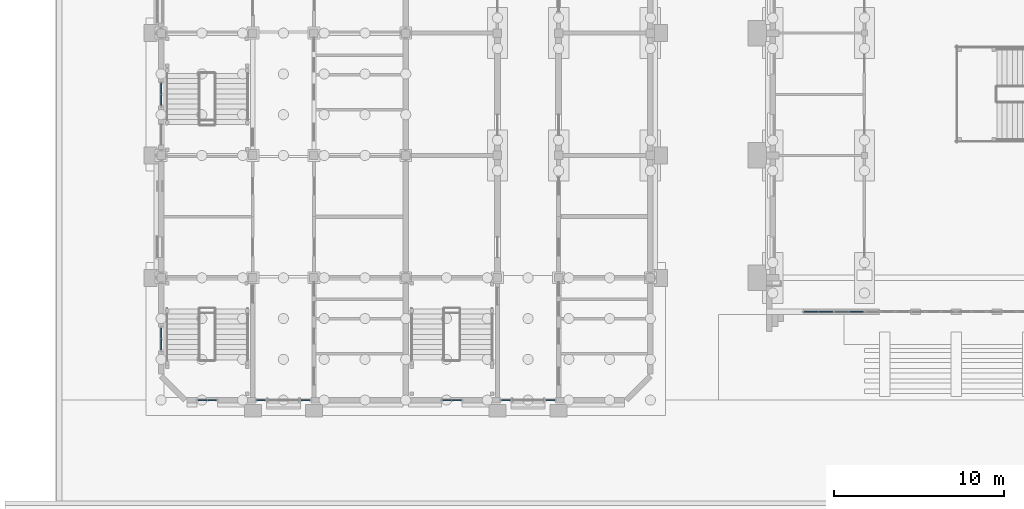
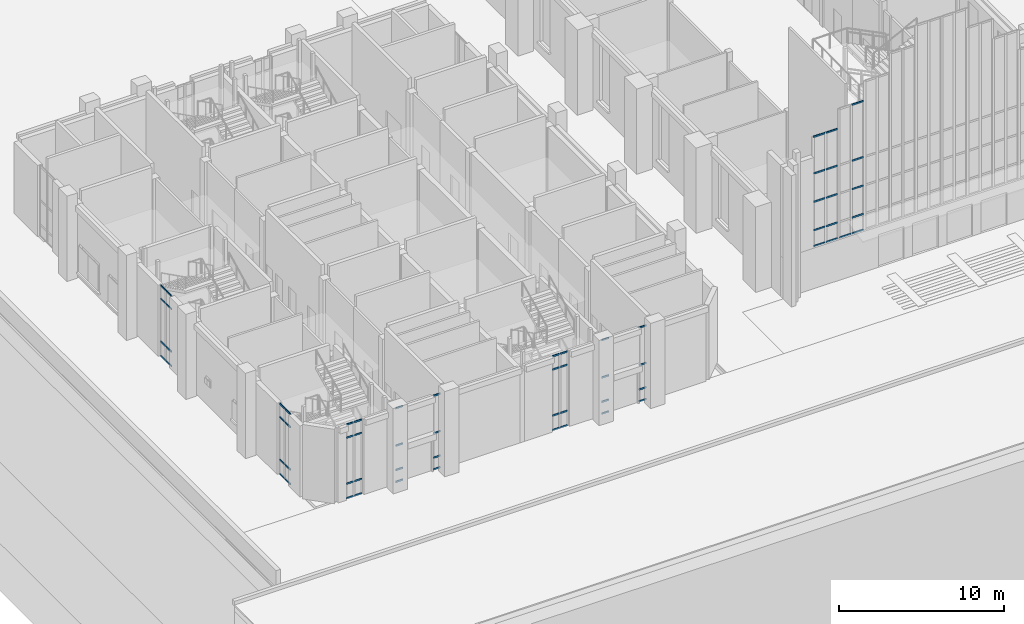
# One storey, part 16 of 84: 64 members, 10 elements without a shape of their own.
"""IFC4 building model written with IfcOpenShell, lengths in metres."""

from ifc_helpers import new_model, si_unit, direction, frame, origin, origin_2d, place, context, subcontext, project, spatial, rectangle, extrude, material, layer, layer_set, material_profile, profile_set, type_object, element, aggregate, save


model = new_model("IFC4")

# Units and contexts
model_context = context("Model", 3, precision=1e-05, world=origin(), true_north=direction((0.0, 1.0)))
body_context = subcontext(model_context, "Body", "Model", "MODEL_VIEW")
ifc_project = project(units=[si_unit("LENGTHUNIT", "METRE"), si_unit("AREAUNIT", "SQUARE_METRE"), si_unit("VOLUMEUNIT", "CUBIC_METRE"), si_unit("PLANEANGLEUNIT", "RADIAN"), si_unit("MASSUNIT", "GRAM", prefix="KILO")], contexts=[model_context])

# Site, building, storey
site_placement = place(None, origin())
site = spatial("IfcSite", under=ifc_project, at=site_placement, CompositionType="ELEMENT")
building_placement = place(site_placement, origin())
building = spatial("IfcBuilding", under=site, at=building_placement, Name="Mazhai Court Health Centre", CompositionType="ELEMENT")
storey_placement = place(building_placement, origin())
storey = spatial("IfcBuildingStorey", under=building, at=storey_placement, Name="L00", CompositionType="ELEMENT", Elevation=0.0)

# Curtain wall, members
ifc_material_1 = material(Name="Teak timber frame, glazed", Category="wood")
ifc_layer_1 = layer(ifc_material_1, 0.10009765625)
ifc_layer_set_1 = layer_set([ifc_layer_1], Name="CURTAIN WALL TIMBER 600")
curtain_wall_type_1 = type_object("IfcCurtainWallType", Name="CURTAIN WALL TIMBER 600", PredefinedType="NOTDEFINED", material=ifc_layer_set_1)
curtain_wall_1_placement = place(storey_placement, origin())
curtain_wall_1 = element("IfcCurtainWall", 1, at=curtain_wall_1_placement, inside=storey, type_object=curtain_wall_type_1, Name="CW-V2-L00-A0", PredefinedType="NOTDEFINED")
ifc_material_2 = material(Name="Teak timber", Category="wood")
ifc_material_profile = material_profile(ifc_material_2, rectangle(XDim=0.06005859375, YDim=0.1201171875, at=origin_2d()), Name="CW TRANSOM 60x120")
ifc_profile_set = profile_set([ifc_material_profile], Name="Teak timber")
member_type = type_object("IfcMemberType", Name="CW TRANSOM 60x120", PredefinedType="USERDEFINED", material=ifc_profile_set)
member_1_placement = place(storey_placement, frame((6.199951171875, 9.159912109375, 0.030029296875), z_axis=(0.0, 1.0, 0.0), x_axis=(-1.0, 0.0, 0.0)))
member_1 = element("IfcMember", 2, at=member_1_placement, type_object=member_type, Name="CW transom 1.1", ObjectType="TRANSOM", PredefinedType="USERDEFINED", context=body_context, shape_type="SweptSolid", body=[
    extrude(rectangle(XDim=0.06005859375, YDim=0.1201171875, at=origin_2d()), origin(), (0.0, 0.0, 1.0), 0.610107421875),
])
member_2_placement = place(storey_placement, frame((6.199951171875, 9.159912109375, 1.10009765625), z_axis=(0.0, 1.0, 0.0), x_axis=(-1.0, 0.0, 0.0)))
member_2 = element("IfcMember", 3, at=member_2_placement, type_object=member_type, Name="CW transom 1.2", ObjectType="TRANSOM", PredefinedType="USERDEFINED", context=body_context, shape_type="SweptSolid", body=[
    extrude(rectangle(XDim=0.06005859375, YDim=0.1201171875, at=origin_2d()), origin(), (0.0, 0.0, 1.0), 0.610107421875),
])
member_3_placement = place(storey_placement, frame((6.199951171875, 9.159912109375, 4.25), z_axis=(0.0, 1.0, 0.0), x_axis=(-1.0, 0.0, 0.0)))
member_3 = element("IfcMember", 4, at=member_3_placement, type_object=member_type, Name="CW transom 1.3", ObjectType="TRANSOM", PredefinedType="USERDEFINED", context=body_context, shape_type="SweptSolid", body=[
    extrude(rectangle(XDim=0.06005859375, YDim=0.1201171875, at=origin_2d()), origin(), (0.0, 0.0, 1.0), 0.610107421875),
])
member_4_placement = place(storey_placement, frame((6.199951171875, 9.159912109375, 5.219970703125), z_axis=(0.0, 1.0, 0.0), x_axis=(-1.0, 0.0, 0.0)))
member_4 = element("IfcMember", 5, at=member_4_placement, type_object=member_type, Name="CW transom 1.4", ObjectType="TRANSOM", PredefinedType="USERDEFINED", context=body_context, shape_type="SweptSolid", body=[
    extrude(rectangle(XDim=0.06005859375, YDim=0.1201171875, at=origin_2d()), origin(), (0.0, 0.0, 1.0), 0.610107421875),
])
member_5_placement = place(storey_placement, frame((6.199951171875, 9.830078125, 0.030029296875), z_axis=(0.0, 1.0, 0.0), x_axis=(-1.0, 0.0, 0.0)))
member_5 = element("IfcMember", 6, at=member_5_placement, type_object=member_type, Name="CW transom 2.1", ObjectType="TRANSOM", PredefinedType="USERDEFINED", context=body_context, shape_type="SweptSolid", body=[
    extrude(rectangle(XDim=0.06005859375, YDim=0.1201171875, at=origin_2d()), origin(), (0.0, 0.0, 1.0), 0.60986328125),
])
member_6_placement = place(storey_placement, frame((6.199951171875, 9.830078125, 1.10009765625), z_axis=(0.0, 1.0, 0.0), x_axis=(-1.0, 0.0, 0.0)))
member_6 = element("IfcMember", 7, at=member_6_placement, type_object=member_type, Name="CW transom 2.2", ObjectType="TRANSOM", PredefinedType="USERDEFINED", context=body_context, shape_type="SweptSolid", body=[
    extrude(rectangle(XDim=0.06005859375, YDim=0.1201171875, at=origin_2d()), origin(), (0.0, 0.0, 1.0), 0.60986328125),
])
member_7_placement = place(storey_placement, frame((6.199951171875, 9.830078125, 4.25), z_axis=(0.0, 1.0, 0.0), x_axis=(-1.0, 0.0, 0.0)))
member_7 = element("IfcMember", 8, at=member_7_placement, type_object=member_type, Name="CW transom 2.3", ObjectType="TRANSOM", PredefinedType="USERDEFINED", context=body_context, shape_type="SweptSolid", body=[
    extrude(rectangle(XDim=0.06005859375, YDim=0.1201171875, at=origin_2d()), origin(), (0.0, 0.0, 1.0), 0.60986328125),
])
member_8_placement = place(storey_placement, frame((6.199951171875, 9.830078125, 5.219970703125), z_axis=(0.0, 1.0, 0.0), x_axis=(-1.0, 0.0, 0.0)))
member_8 = element("IfcMember", 9, at=member_8_placement, type_object=member_type, Name="CW transom 2.4", ObjectType="TRANSOM", PredefinedType="USERDEFINED", context=body_context, shape_type="SweptSolid", body=[
    extrude(rectangle(XDim=0.06005859375, YDim=0.1201171875, at=origin_2d()), origin(), (0.0, 0.0, 1.0), 0.60986328125),
])
aggregate(curtain_wall_1, [member_1, member_2, member_3, member_4, member_5, member_6, member_7, member_8])

curtain_wall_2_placement = place(storey_placement, origin())
curtain_wall_2 = element("IfcCurtainWall", 10, at=curtain_wall_2_placement, inside=storey, type_object=curtain_wall_type_1, Name="CW-V2-L00-A2", PredefinedType="NOTDEFINED")
member_9_placement = place(storey_placement, frame((6.199951171875, 23.56005859375, 0.030029296875), z_axis=(0.0, 1.0, 0.0), x_axis=(-1.0, 0.0, 0.0)))
member_9 = element("IfcMember", 11, at=member_9_placement, type_object=member_type, Name="CW transom 1.1", ObjectType="TRANSOM", PredefinedType="USERDEFINED", context=body_context, shape_type="SweptSolid", body=[
    extrude(rectangle(XDim=0.06005859375, YDim=0.1201171875, at=origin_2d()), origin(), (0.0, 0.0, 1.0), 0.60986328125),
])
member_10_placement = place(storey_placement, frame((6.199951171875, 23.56005859375, 1.10009765625), z_axis=(0.0, 1.0, 0.0), x_axis=(-1.0, 0.0, 0.0)))
member_10 = element("IfcMember", 12, at=member_10_placement, type_object=member_type, Name="CW transom 1.2", ObjectType="TRANSOM", PredefinedType="USERDEFINED", context=body_context, shape_type="SweptSolid", body=[
    extrude(rectangle(XDim=0.06005859375, YDim=0.1201171875, at=origin_2d()), origin(), (0.0, 0.0, 1.0), 0.60986328125),
])
member_11_placement = place(storey_placement, frame((6.199951171875, 23.56005859375, 4.25), z_axis=(0.0, 1.0, 0.0), x_axis=(-1.0, 0.0, 0.0)))
member_11 = element("IfcMember", 13, at=member_11_placement, type_object=member_type, Name="CW transom 1.3", ObjectType="TRANSOM", PredefinedType="USERDEFINED", context=body_context, shape_type="SweptSolid", body=[
    extrude(rectangle(XDim=0.06005859375, YDim=0.1201171875, at=origin_2d()), origin(), (0.0, 0.0, 1.0), 0.60986328125),
])
member_12_placement = place(storey_placement, frame((6.199951171875, 23.56005859375, 5.219970703125), z_axis=(0.0, 1.0, 0.0), x_axis=(-1.0, 0.0, 0.0)))
member_12 = element("IfcMember", 14, at=member_12_placement, type_object=member_type, Name="CW transom 1.4", ObjectType="TRANSOM", PredefinedType="USERDEFINED", context=body_context, shape_type="SweptSolid", body=[
    extrude(rectangle(XDim=0.06005859375, YDim=0.1201171875, at=origin_2d()), origin(), (0.0, 0.0, 1.0), 0.60986328125),
])
member_13_placement = place(storey_placement, frame((6.199951171875, 24.22998046875, 0.030029296875), z_axis=(0.0, 1.0, 0.0), x_axis=(-1.0, 0.0, 0.0)))
member_13 = element("IfcMember", 15, at=member_13_placement, type_object=member_type, Name="CW transom 2.1", ObjectType="TRANSOM", PredefinedType="USERDEFINED", context=body_context, shape_type="SweptSolid", body=[
    extrude(rectangle(XDim=0.06005859375, YDim=0.1201171875, at=origin_2d()), origin(), (0.0, 0.0, 1.0), 0.610107421875),
])
member_14_placement = place(storey_placement, frame((6.199951171875, 24.22998046875, 1.10009765625), z_axis=(0.0, 1.0, 0.0), x_axis=(-1.0, 0.0, 0.0)))
member_14 = element("IfcMember", 16, at=member_14_placement, type_object=member_type, Name="CW transom 2.2", ObjectType="TRANSOM", PredefinedType="USERDEFINED", context=body_context, shape_type="SweptSolid", body=[
    extrude(rectangle(XDim=0.06005859375, YDim=0.1201171875, at=origin_2d()), origin(), (0.0, 0.0, 1.0), 0.610107421875),
])
member_15_placement = place(storey_placement, frame((6.199951171875, 24.22998046875, 4.25), z_axis=(0.0, 1.0, 0.0), x_axis=(-1.0, 0.0, 0.0)))
member_15 = element("IfcMember", 17, at=member_15_placement, type_object=member_type, Name="CW transom 2.3", ObjectType="TRANSOM", PredefinedType="USERDEFINED", context=body_context, shape_type="SweptSolid", body=[
    extrude(rectangle(XDim=0.06005859375, YDim=0.1201171875, at=origin_2d()), origin(), (0.0, 0.0, 1.0), 0.610107421875),
])
member_16_placement = place(storey_placement, frame((6.199951171875, 24.22998046875, 5.219970703125), z_axis=(0.0, 1.0, 0.0), x_axis=(-1.0, 0.0, 0.0)))
member_16 = element("IfcMember", 18, at=member_16_placement, type_object=member_type, Name="CW transom 2.4", ObjectType="TRANSOM", PredefinedType="USERDEFINED", context=body_context, shape_type="SweptSolid", body=[
    extrude(rectangle(XDim=0.06005859375, YDim=0.1201171875, at=origin_2d()), origin(), (0.0, 0.0, 1.0), 0.610107421875),
])
aggregate(curtain_wall_2, [member_9, member_10, member_11, member_12, member_13, member_14, member_15, member_16])

curtain_wall_3_placement = place(storey_placement, origin())
curtain_wall_3 = element("IfcCurtainWall", 19, at=curtain_wall_3_placement, inside=storey, type_object=curtain_wall_type_1, Name="CW-V2-L00-SSTAIR0", PredefinedType="NOTDEFINED")
member_17_placement = place(storey_placement, frame((9.4599609375, 6.199951171875, 0.030029296875), z_axis=(-1.0, 0.0, 0.0), x_axis=(0.0, -1.0, 0.0)))
member_17 = element("IfcMember", 20, at=member_17_placement, type_object=member_type, Name="CW transom 1.1", ObjectType="TRANSOM", PredefinedType="USERDEFINED", context=body_context, shape_type="SweptSolid", body=[
    extrude(rectangle(XDim=0.06005859375, YDim=0.1201171875, at=origin_2d()), origin(), (0.0, 0.0, 1.0), 0.510009765625),
])
member_18_placement = place(storey_placement, frame((9.4599609375, 6.199951171875, 1.10009765625), z_axis=(-1.0, 0.0, 0.0), x_axis=(0.0, -1.0, 0.0)))
member_18 = element("IfcMember", 21, at=member_18_placement, type_object=member_type, Name="CW transom 1.2", ObjectType="TRANSOM", PredefinedType="USERDEFINED", context=body_context, shape_type="SweptSolid", body=[
    extrude(rectangle(XDim=0.06005859375, YDim=0.1201171875, at=origin_2d()), origin(), (0.0, 0.0, 1.0), 0.510009765625),
])
member_19_placement = place(storey_placement, frame((9.4599609375, 6.199951171875, 4.5), z_axis=(-1.0, 0.0, 0.0), x_axis=(0.0, -1.0, 0.0)))
member_19 = element("IfcMember", 22, at=member_19_placement, type_object=member_type, Name="CW transom 1.3", ObjectType="TRANSOM", PredefinedType="USERDEFINED", context=body_context, shape_type="SweptSolid", body=[
    extrude(rectangle(XDim=0.06005859375, YDim=0.1201171875, at=origin_2d()), origin(), (0.0, 0.0, 1.0), 0.510009765625),
])
member_20_placement = place(storey_placement, frame((9.4599609375, 6.199951171875, 5.469970703125), z_axis=(-1.0, 0.0, 0.0), x_axis=(0.0, -1.0, 0.0)))
member_20 = element("IfcMember", 23, at=member_20_placement, type_object=member_type, Name="CW transom 1.4", ObjectType="TRANSOM", PredefinedType="USERDEFINED", context=body_context, shape_type="SweptSolid", body=[
    extrude(rectangle(XDim=0.06005859375, YDim=0.1201171875, at=origin_2d()), origin(), (0.0, 0.0, 1.0), 0.510009765625),
])
member_21_placement = place(storey_placement, frame((8.889892578125, 6.199951171875, 0.030029296875), z_axis=(-1.0, 0.0, 0.0), x_axis=(0.0, -1.0, 0.0)))
member_21 = element("IfcMember", 24, at=member_21_placement, type_object=member_type, Name="CW transom 2.1", ObjectType="TRANSOM", PredefinedType="USERDEFINED", context=body_context, shape_type="SweptSolid", body=[
    extrude(rectangle(XDim=0.06005859375, YDim=0.1201171875, at=origin_2d()), origin(), (0.0, 0.0, 1.0), 0.510009765625),
])
member_22_placement = place(storey_placement, frame((8.889892578125, 6.199951171875, 1.10009765625), z_axis=(-1.0, 0.0, 0.0), x_axis=(0.0, -1.0, 0.0)))
member_22 = element("IfcMember", 25, at=member_22_placement, type_object=member_type, Name="CW transom 2.2", ObjectType="TRANSOM", PredefinedType="USERDEFINED", context=body_context, shape_type="SweptSolid", body=[
    extrude(rectangle(XDim=0.06005859375, YDim=0.1201171875, at=origin_2d()), origin(), (0.0, 0.0, 1.0), 0.510009765625),
])
member_23_placement = place(storey_placement, frame((8.889892578125, 6.199951171875, 4.5), z_axis=(-1.0, 0.0, 0.0), x_axis=(0.0, -1.0, 0.0)))
member_23 = element("IfcMember", 26, at=member_23_placement, type_object=member_type, Name="CW transom 2.3", ObjectType="TRANSOM", PredefinedType="USERDEFINED", context=body_context, shape_type="SweptSolid", body=[
    extrude(rectangle(XDim=0.06005859375, YDim=0.1201171875, at=origin_2d()), origin(), (0.0, 0.0, 1.0), 0.510009765625),
])
member_24_placement = place(storey_placement, frame((8.889892578125, 6.199951171875, 5.469970703125), z_axis=(-1.0, 0.0, 0.0), x_axis=(0.0, -1.0, 0.0)))
member_24 = element("IfcMember", 27, at=member_24_placement, type_object=member_type, Name="CW transom 2.4", ObjectType="TRANSOM", PredefinedType="USERDEFINED", context=body_context, shape_type="SweptSolid", body=[
    extrude(rectangle(XDim=0.06005859375, YDim=0.1201171875, at=origin_2d()), origin(), (0.0, 0.0, 1.0), 0.510009765625),
])
aggregate(curtain_wall_3, [member_17, member_18, member_19, member_20, member_21, member_22, member_23, member_24])

ifc_material_3 = material(Name="Teak timber frame, glazed", Category="wood")
ifc_layer_2 = layer(ifc_material_3, 0.10009765625)
ifc_layer_set_2 = layer_set([ifc_layer_2], Name="CURTAIN WALL TIMBER 620")
curtain_wall_type_2 = type_object("IfcCurtainWallType", Name="CURTAIN WALL TIMBER 620", PredefinedType="NOTDEFINED", material=ifc_layer_set_2)
curtain_wall_4_placement = place(storey_placement, origin())
curtain_wall_4 = element("IfcCurtainWall", 28, at=curtain_wall_4_placement, inside=storey, type_object=curtain_wall_type_2, Name="CW-V2-L00-SSL1", PredefinedType="NOTDEFINED")
member_25_placement = place(storey_placement, frame((12.340087890625, 6.199951171875, 0.030029296875), z_axis=(-1.0, 0.0, 0.0), x_axis=(0.0, -1.0, 0.0)))
member_25 = element("IfcMember", 29, at=member_25_placement, type_object=member_type, Name="CW transom 1.1", ObjectType="TRANSOM", PredefinedType="USERDEFINED", context=body_context, shape_type="SweptSolid", body=[
    extrude(rectangle(XDim=0.06005859375, YDim=0.1201171875, at=origin_2d()), origin(), (0.0, 0.0, 1.0), 0.5),
])
member_26_placement = place(storey_placement, frame((12.340087890625, 6.199951171875, 0.89990234375), z_axis=(-1.0, 0.0, 0.0), x_axis=(0.0, -1.0, 0.0)))
member_26 = element("IfcMember", 30, at=member_26_placement, type_object=member_type, Name="CW transom 1.2", ObjectType="TRANSOM", PredefinedType="USERDEFINED", context=body_context, shape_type="SweptSolid", body=[
    extrude(rectangle(XDim=0.06005859375, YDim=0.1201171875, at=origin_2d()), origin(), (0.0, 0.0, 1.0), 0.5),
])
member_27_placement = place(storey_placement, frame((12.340087890625, 6.199951171875, 2.699951171875), z_axis=(-1.0, 0.0, 0.0), x_axis=(0.0, -1.0, 0.0)))
member_27 = element("IfcMember", 31, at=member_27_placement, type_object=member_type, Name="CW transom 1.3", ObjectType="TRANSOM", PredefinedType="USERDEFINED", context=body_context, shape_type="SweptSolid", body=[
    extrude(rectangle(XDim=0.06005859375, YDim=0.1201171875, at=origin_2d()), origin(), (0.0, 0.0, 1.0), 0.5),
])
member_28_placement = place(storey_placement, frame((12.340087890625, 6.199951171875, 5.469970703125), z_axis=(-1.0, 0.0, 0.0), x_axis=(0.0, -1.0, 0.0)))
member_28 = element("IfcMember", 32, at=member_28_placement, type_object=member_type, Name="CW transom 1.4", ObjectType="TRANSOM", PredefinedType="USERDEFINED", context=body_context, shape_type="SweptSolid", body=[
    extrude(rectangle(XDim=0.06005859375, YDim=0.1201171875, at=origin_2d()), origin(), (0.0, 0.0, 1.0), 0.5),
])
aggregate(curtain_wall_4, [member_25, member_26, member_27, member_28])

curtain_wall_5_placement = place(storey_placement, origin())
curtain_wall_5 = element("IfcCurtainWall", 33, at=curtain_wall_5_placement, inside=storey, type_object=curtain_wall_type_2, Name="CW-V2-L00-SSL2", PredefinedType="NOTDEFINED")
member_29_placement = place(storey_placement, frame((14.9599609375, 6.199951171875, 0.030029296875), z_axis=(-1.0, 0.0, 0.0), x_axis=(0.0, -1.0, 0.0)))
member_29 = element("IfcMember", 34, at=member_29_placement, type_object=member_type, Name="CW transom 1.1", ObjectType="TRANSOM", PredefinedType="USERDEFINED", context=body_context, shape_type="SweptSolid", body=[
    extrude(rectangle(XDim=0.06005859375, YDim=0.1201171875, at=origin_2d()), origin(), (0.0, 0.0, 1.0), 0.5),
])
member_30_placement = place(storey_placement, frame((14.9599609375, 6.199951171875, 0.89990234375), z_axis=(-1.0, 0.0, 0.0), x_axis=(0.0, -1.0, 0.0)))
member_30 = element("IfcMember", 35, at=member_30_placement, type_object=member_type, Name="CW transom 1.2", ObjectType="TRANSOM", PredefinedType="USERDEFINED", context=body_context, shape_type="SweptSolid", body=[
    extrude(rectangle(XDim=0.06005859375, YDim=0.1201171875, at=origin_2d()), origin(), (0.0, 0.0, 1.0), 0.5),
])
member_31_placement = place(storey_placement, frame((14.9599609375, 6.199951171875, 2.699951171875), z_axis=(-1.0, 0.0, 0.0), x_axis=(0.0, -1.0, 0.0)))
member_31 = element("IfcMember", 36, at=member_31_placement, type_object=member_type, Name="CW transom 1.3", ObjectType="TRANSOM", PredefinedType="USERDEFINED", context=body_context, shape_type="SweptSolid", body=[
    extrude(rectangle(XDim=0.06005859375, YDim=0.1201171875, at=origin_2d()), origin(), (0.0, 0.0, 1.0), 0.5),
])
member_32_placement = place(storey_placement, frame((14.9599609375, 6.199951171875, 5.469970703125), z_axis=(-1.0, 0.0, 0.0), x_axis=(0.0, -1.0, 0.0)))
member_32 = element("IfcMember", 37, at=member_32_placement, type_object=member_type, Name="CW transom 1.4", ObjectType="TRANSOM", PredefinedType="USERDEFINED", context=body_context, shape_type="SweptSolid", body=[
    extrude(rectangle(XDim=0.06005859375, YDim=0.1201171875, at=origin_2d()), origin(), (0.0, 0.0, 1.0), 0.5),
])
aggregate(curtain_wall_5, [member_29, member_30, member_31, member_32])

curtain_wall_6_placement = place(storey_placement, origin())
curtain_wall_6 = element("IfcCurtainWall", 38, at=curtain_wall_6_placement, inside=storey, type_object=curtain_wall_type_1, Name="CW-V5-L00-SSTAIR0", PredefinedType="NOTDEFINED")
member_33_placement = place(storey_placement, frame((23.860107421875, 6.199951171875, 0.030029296875), z_axis=(-1.0, 0.0, 0.0), x_axis=(0.0, -1.0, 0.0)))
member_33 = element("IfcMember", 39, at=member_33_placement, type_object=member_type, Name="CW transom 1.1", ObjectType="TRANSOM", PredefinedType="USERDEFINED", context=body_context, shape_type="SweptSolid", body=[
    extrude(rectangle(XDim=0.06005859375, YDim=0.1201171875, at=origin_2d()), origin(), (0.0, 0.0, 1.0), 0.510009765625),
])
member_34_placement = place(storey_placement, frame((23.860107421875, 6.199951171875, 1.10009765625), z_axis=(-1.0, 0.0, 0.0), x_axis=(0.0, -1.0, 0.0)))
member_34 = element("IfcMember", 40, at=member_34_placement, type_object=member_type, Name="CW transom 1.2", ObjectType="TRANSOM", PredefinedType="USERDEFINED", context=body_context, shape_type="SweptSolid", body=[
    extrude(rectangle(XDim=0.06005859375, YDim=0.1201171875, at=origin_2d()), origin(), (0.0, 0.0, 1.0), 0.510009765625),
])
member_35_placement = place(storey_placement, frame((23.860107421875, 6.199951171875, 4.5), z_axis=(-1.0, 0.0, 0.0), x_axis=(0.0, -1.0, 0.0)))
member_35 = element("IfcMember", 41, at=member_35_placement, type_object=member_type, Name="CW transom 1.3", ObjectType="TRANSOM", PredefinedType="USERDEFINED", context=body_context, shape_type="SweptSolid", body=[
    extrude(rectangle(XDim=0.06005859375, YDim=0.1201171875, at=origin_2d()), origin(), (0.0, 0.0, 1.0), 0.510009765625),
])
member_36_placement = place(storey_placement, frame((23.860107421875, 6.199951171875, 5.469970703125), z_axis=(-1.0, 0.0, 0.0), x_axis=(0.0, -1.0, 0.0)))
member_36 = element("IfcMember", 42, at=member_36_placement, type_object=member_type, Name="CW transom 1.4", ObjectType="TRANSOM", PredefinedType="USERDEFINED", context=body_context, shape_type="SweptSolid", body=[
    extrude(rectangle(XDim=0.06005859375, YDim=0.1201171875, at=origin_2d()), origin(), (0.0, 0.0, 1.0), 0.510009765625),
])
member_37_placement = place(storey_placement, frame((23.2900390625, 6.199951171875, 0.030029296875), z_axis=(-1.0, 0.0, 0.0), x_axis=(0.0, -1.0, 0.0)))
member_37 = element("IfcMember", 43, at=member_37_placement, type_object=member_type, Name="CW transom 2.1", ObjectType="TRANSOM", PredefinedType="USERDEFINED", context=body_context, shape_type="SweptSolid", body=[
    extrude(rectangle(XDim=0.06005859375, YDim=0.1201171875, at=origin_2d()), origin(), (0.0, 0.0, 1.0), 0.510009765625),
])
member_38_placement = place(storey_placement, frame((23.2900390625, 6.199951171875, 1.10009765625), z_axis=(-1.0, 0.0, 0.0), x_axis=(0.0, -1.0, 0.0)))
member_38 = element("IfcMember", 44, at=member_38_placement, type_object=member_type, Name="CW transom 2.2", ObjectType="TRANSOM", PredefinedType="USERDEFINED", context=body_context, shape_type="SweptSolid", body=[
    extrude(rectangle(XDim=0.06005859375, YDim=0.1201171875, at=origin_2d()), origin(), (0.0, 0.0, 1.0), 0.510009765625),
])
member_39_placement = place(storey_placement, frame((23.2900390625, 6.199951171875, 4.5), z_axis=(-1.0, 0.0, 0.0), x_axis=(0.0, -1.0, 0.0)))
member_39 = element("IfcMember", 45, at=member_39_placement, type_object=member_type, Name="CW transom 2.3", ObjectType="TRANSOM", PredefinedType="USERDEFINED", context=body_context, shape_type="SweptSolid", body=[
    extrude(rectangle(XDim=0.06005859375, YDim=0.1201171875, at=origin_2d()), origin(), (0.0, 0.0, 1.0), 0.510009765625),
])
member_40_placement = place(storey_placement, frame((23.2900390625, 6.199951171875, 5.469970703125), z_axis=(-1.0, 0.0, 0.0), x_axis=(0.0, -1.0, 0.0)))
member_40 = element("IfcMember", 46, at=member_40_placement, type_object=member_type, Name="CW transom 2.4", ObjectType="TRANSOM", PredefinedType="USERDEFINED", context=body_context, shape_type="SweptSolid", body=[
    extrude(rectangle(XDim=0.06005859375, YDim=0.1201171875, at=origin_2d()), origin(), (0.0, 0.0, 1.0), 0.510009765625),
])
aggregate(curtain_wall_6, [member_33, member_34, member_35, member_36, member_37, member_38, member_39, member_40])

curtain_wall_7_placement = place(storey_placement, origin())
curtain_wall_7 = element("IfcCurtainWall", 47, at=curtain_wall_7_placement, inside=storey, type_object=curtain_wall_type_2, Name="CW-V5-L00-SSL1", PredefinedType="NOTDEFINED")
member_41_placement = place(storey_placement, frame((26.739990234375, 6.199951171875, 0.030029296875), z_axis=(-1.0, 0.0, 0.0), x_axis=(0.0, -1.0, 0.0)))
member_41 = element("IfcMember", 48, at=member_41_placement, type_object=member_type, Name="CW transom 1.1", ObjectType="TRANSOM", PredefinedType="USERDEFINED", context=body_context, shape_type="SweptSolid", body=[
    extrude(rectangle(XDim=0.06005859375, YDim=0.1201171875, at=origin_2d()), origin(), (0.0, 0.0, 1.0), 0.5),
])
member_42_placement = place(storey_placement, frame((26.739990234375, 6.199951171875, 0.89990234375), z_axis=(-1.0, 0.0, 0.0), x_axis=(0.0, -1.0, 0.0)))
member_42 = element("IfcMember", 49, at=member_42_placement, type_object=member_type, Name="CW transom 1.2", ObjectType="TRANSOM", PredefinedType="USERDEFINED", context=body_context, shape_type="SweptSolid", body=[
    extrude(rectangle(XDim=0.06005859375, YDim=0.1201171875, at=origin_2d()), origin(), (0.0, 0.0, 1.0), 0.5),
])
member_43_placement = place(storey_placement, frame((26.739990234375, 6.199951171875, 2.699951171875), z_axis=(-1.0, 0.0, 0.0), x_axis=(0.0, -1.0, 0.0)))
member_43 = element("IfcMember", 50, at=member_43_placement, type_object=member_type, Name="CW transom 1.3", ObjectType="TRANSOM", PredefinedType="USERDEFINED", context=body_context, shape_type="SweptSolid", body=[
    extrude(rectangle(XDim=0.06005859375, YDim=0.1201171875, at=origin_2d()), origin(), (0.0, 0.0, 1.0), 0.5),
])
member_44_placement = place(storey_placement, frame((26.739990234375, 6.199951171875, 5.469970703125), z_axis=(-1.0, 0.0, 0.0), x_axis=(0.0, -1.0, 0.0)))
member_44 = element("IfcMember", 51, at=member_44_placement, type_object=member_type, Name="CW transom 1.4", ObjectType="TRANSOM", PredefinedType="USERDEFINED", context=body_context, shape_type="SweptSolid", body=[
    extrude(rectangle(XDim=0.06005859375, YDim=0.1201171875, at=origin_2d()), origin(), (0.0, 0.0, 1.0), 0.5),
])
aggregate(curtain_wall_7, [member_41, member_42, member_43, member_44])

curtain_wall_8_placement = place(storey_placement, origin())
curtain_wall_8 = element("IfcCurtainWall", 52, at=curtain_wall_8_placement, inside=storey, type_object=curtain_wall_type_2, Name="CW-V5-L00-SSL2", PredefinedType="NOTDEFINED")
member_45_placement = place(storey_placement, frame((29.360107421875, 6.199951171875, 0.030029296875), z_axis=(-1.0, 0.0, 0.0), x_axis=(0.0, -1.0, 0.0)))
member_45 = element("IfcMember", 53, at=member_45_placement, type_object=member_type, Name="CW transom 1.1", ObjectType="TRANSOM", PredefinedType="USERDEFINED", context=body_context, shape_type="SweptSolid", body=[
    extrude(rectangle(XDim=0.06005859375, YDim=0.1201171875, at=origin_2d()), origin(), (0.0, 0.0, 1.0), 0.5),
])
member_46_placement = place(storey_placement, frame((29.360107421875, 6.199951171875, 0.89990234375), z_axis=(-1.0, 0.0, 0.0), x_axis=(0.0, -1.0, 0.0)))
member_46 = element("IfcMember", 54, at=member_46_placement, type_object=member_type, Name="CW transom 1.2", ObjectType="TRANSOM", PredefinedType="USERDEFINED", context=body_context, shape_type="SweptSolid", body=[
    extrude(rectangle(XDim=0.06005859375, YDim=0.1201171875, at=origin_2d()), origin(), (0.0, 0.0, 1.0), 0.5),
])
member_47_placement = place(storey_placement, frame((29.360107421875, 6.199951171875, 2.699951171875), z_axis=(-1.0, 0.0, 0.0), x_axis=(0.0, -1.0, 0.0)))
member_47 = element("IfcMember", 55, at=member_47_placement, type_object=member_type, Name="CW transom 1.3", ObjectType="TRANSOM", PredefinedType="USERDEFINED", context=body_context, shape_type="SweptSolid", body=[
    extrude(rectangle(XDim=0.06005859375, YDim=0.1201171875, at=origin_2d()), origin(), (0.0, 0.0, 1.0), 0.5),
])
member_48_placement = place(storey_placement, frame((29.360107421875, 6.199951171875, 5.469970703125), z_axis=(-1.0, 0.0, 0.0), x_axis=(0.0, -1.0, 0.0)))
member_48 = element("IfcMember", 56, at=member_48_placement, type_object=member_type, Name="CW transom 1.4", ObjectType="TRANSOM", PredefinedType="USERDEFINED", context=body_context, shape_type="SweptSolid", body=[
    extrude(rectangle(XDim=0.06005859375, YDim=0.1201171875, at=origin_2d()), origin(), (0.0, 0.0, 1.0), 0.5),
])
aggregate(curtain_wall_8, [member_45, member_46, member_47, member_48])

ifc_material_4 = material(Name="Teak timber frame, glazed", Category="wood")
ifc_layer_3 = layer(ifc_material_4, 0.10009765625)
ifc_layer_set_3 = layer_set([ifc_layer_3], Name="CURTAIN WALL TIMBER 900")
curtain_wall_type_3 = type_object("IfcCurtainWallType", Name="CURTAIN WALL TIMBER 900", PredefinedType="NOTDEFINED", material=ifc_layer_set_3)
curtain_wall_9_placement = place(storey_placement, origin())
curtain_wall_9 = element("IfcCurtainWall", 57, at=curtain_wall_9_placement, inside=storey, type_object=curtain_wall_type_3, Name="CW-V1-S01", PredefinedType="NOTDEFINED")
member_49_placement = place(storey_placement, frame((45.739990234375, 11.39990234375, 3.030029296875), z_axis=(-1.0, 0.0, 0.0), x_axis=(0.0, -1.0, 0.0)))
member_49 = element("IfcMember", 58, at=member_49_placement, type_object=member_type, Name="CW transom 1.1", ObjectType="TRANSOM", PredefinedType="USERDEFINED", context=body_context, shape_type="SweptSolid", body=[
    extrude(rectangle(XDim=0.06005859375, YDim=0.1201171875, at=origin_2d()), origin(), (0.0, 0.0, 1.0), 0.81005859375),
])
member_50_placement = place(storey_placement, frame((45.739990234375, 11.39990234375, 4.199951171875), z_axis=(-1.0, 0.0, 0.0), x_axis=(0.0, -1.0, 0.0)))
member_50 = element("IfcMember", 59, at=member_50_placement, type_object=member_type, Name="CW transom 1.2", ObjectType="TRANSOM", PredefinedType="USERDEFINED", context=body_context, shape_type="SweptSolid", body=[
    extrude(rectangle(XDim=0.06005859375, YDim=0.1201171875, at=origin_2d()), origin(), (0.0, 0.0, 1.0), 0.81005859375),
])
member_51_placement = place(storey_placement, frame((45.739990234375, 11.39990234375, 6.300048828125), z_axis=(-1.0, 0.0, 0.0), x_axis=(0.0, -1.0, 0.0)))
member_51 = element("IfcMember", 60, at=member_51_placement, type_object=member_type, Name="CW transom 1.3", ObjectType="TRANSOM", PredefinedType="USERDEFINED", context=body_context, shape_type="SweptSolid", body=[
    extrude(rectangle(XDim=0.06005859375, YDim=0.1201171875, at=origin_2d()), origin(), (0.0, 0.0, 1.0), 0.81005859375),
])
member_52_placement = place(storey_placement, frame((45.739990234375, 11.39990234375, 8.39990234375), z_axis=(-1.0, 0.0, 0.0), x_axis=(0.0, -1.0, 0.0)))
member_52 = element("IfcMember", 61, at=member_52_placement, type_object=member_type, Name="CW transom 1.4", ObjectType="TRANSOM", PredefinedType="USERDEFINED", context=body_context, shape_type="SweptSolid", body=[
    extrude(rectangle(XDim=0.06005859375, YDim=0.1201171875, at=origin_2d()), origin(), (0.0, 0.0, 1.0), 0.81005859375),
])
member_53_placement = place(storey_placement, frame((45.739990234375, 11.39990234375, 11.10302734375), z_axis=(-1.0, 0.0, 0.0), x_axis=(0.0, -1.0, 0.0)))
member_53 = element("IfcMember", 62, at=member_53_placement, type_object=member_type, Name="CW transom 1.5", ObjectType="TRANSOM", PredefinedType="USERDEFINED", context=body_context, shape_type="SweptSolid", body=[
    extrude(rectangle(XDim=0.06005859375, YDim=0.1201171875, at=origin_2d()), origin(), (0.0, 0.0, 1.0), 0.81005859375),
])
member_54_placement = place(storey_placement, frame((44.8701171875, 11.39990234375, 3.030029296875), z_axis=(-1.0, 0.0, 0.0), x_axis=(0.0, -1.0, 0.0)))
member_54 = element("IfcMember", 63, at=member_54_placement, type_object=member_type, Name="CW transom 2.1", ObjectType="TRANSOM", PredefinedType="USERDEFINED", context=body_context, shape_type="SweptSolid", body=[
    extrude(rectangle(XDim=0.06005859375, YDim=0.1201171875, at=origin_2d()), origin(), (0.0, 0.0, 1.0), 0.81005859375),
])
member_55_placement = place(storey_placement, frame((44.8701171875, 11.39990234375, 4.199951171875), z_axis=(-1.0, 0.0, 0.0), x_axis=(0.0, -1.0, 0.0)))
member_55 = element("IfcMember", 64, at=member_55_placement, type_object=member_type, Name="CW transom 2.2", ObjectType="TRANSOM", PredefinedType="USERDEFINED", context=body_context, shape_type="SweptSolid", body=[
    extrude(rectangle(XDim=0.06005859375, YDim=0.1201171875, at=origin_2d()), origin(), (0.0, 0.0, 1.0), 0.81005859375),
])
member_56_placement = place(storey_placement, frame((44.8701171875, 11.39990234375, 6.300048828125), z_axis=(-1.0, 0.0, 0.0), x_axis=(0.0, -1.0, 0.0)))
member_56 = element("IfcMember", 65, at=member_56_placement, type_object=member_type, Name="CW transom 2.3", ObjectType="TRANSOM", PredefinedType="USERDEFINED", context=body_context, shape_type="SweptSolid", body=[
    extrude(rectangle(XDim=0.06005859375, YDim=0.1201171875, at=origin_2d()), origin(), (0.0, 0.0, 1.0), 0.81005859375),
])
member_57_placement = place(storey_placement, frame((44.8701171875, 11.39990234375, 8.39990234375), z_axis=(-1.0, 0.0, 0.0), x_axis=(0.0, -1.0, 0.0)))
member_57 = element("IfcMember", 66, at=member_57_placement, type_object=member_type, Name="CW transom 2.4", ObjectType="TRANSOM", PredefinedType="USERDEFINED", context=body_context, shape_type="SweptSolid", body=[
    extrude(rectangle(XDim=0.06005859375, YDim=0.1201171875, at=origin_2d()), origin(), (0.0, 0.0, 1.0), 0.81005859375),
])
member_58_placement = place(storey_placement, frame((44.8701171875, 11.39990234375, 11.10302734375), z_axis=(-1.0, 0.0, 0.0), x_axis=(0.0, -1.0, 0.0)))
member_58 = element("IfcMember", 67, at=member_58_placement, type_object=member_type, Name="CW transom 2.5", ObjectType="TRANSOM", PredefinedType="USERDEFINED", context=body_context, shape_type="SweptSolid", body=[
    extrude(rectangle(XDim=0.06005859375, YDim=0.1201171875, at=origin_2d()), origin(), (0.0, 0.0, 1.0), 0.81005859375),
])
aggregate(curtain_wall_9, [member_49, member_50, member_51, member_52, member_53, member_54, member_55, member_56, member_57, member_58])

curtain_wall_10_placement = place(storey_placement, origin())
curtain_wall_10 = element("IfcCurtainWall", 68, at=curtain_wall_10_placement, inside=storey, type_object=curtain_wall_type_3, Name="CW-V1-S02", PredefinedType="NOTDEFINED")
member_59_placement = place(storey_placement, frame((47.5400390625, 11.39990234375, 3.030029296875), z_axis=(-1.0, 0.0, 0.0), x_axis=(0.0, -1.0, 0.0)))
member_59 = element("IfcMember", 69, at=member_59_placement, type_object=member_type, Name="CW transom 1.1", ObjectType="TRANSOM", PredefinedType="USERDEFINED", context=body_context, shape_type="SweptSolid", body=[
    extrude(rectangle(XDim=0.06005859375, YDim=0.1201171875, at=origin_2d()), origin(), (0.0, 0.0, 1.0), 0.81005859375),
])
member_60_placement = place(storey_placement, frame((47.5400390625, 11.39990234375, 4.199951171875), z_axis=(-1.0, 0.0, 0.0), x_axis=(0.0, -1.0, 0.0)))
member_60 = element("IfcMember", 70, at=member_60_placement, type_object=member_type, Name="CW transom 1.2", ObjectType="TRANSOM", PredefinedType="USERDEFINED", context=body_context, shape_type="SweptSolid", body=[
    extrude(rectangle(XDim=0.06005859375, YDim=0.1201171875, at=origin_2d()), origin(), (0.0, 0.0, 1.0), 0.81005859375),
])
member_61_placement = place(storey_placement, frame((47.5400390625, 11.39990234375, 6.300048828125), z_axis=(-1.0, 0.0, 0.0), x_axis=(0.0, -1.0, 0.0)))
member_61 = element("IfcMember", 71, at=member_61_placement, type_object=member_type, Name="CW transom 1.3", ObjectType="TRANSOM", PredefinedType="USERDEFINED", context=body_context, shape_type="SweptSolid", body=[
    extrude(rectangle(XDim=0.06005859375, YDim=0.1201171875, at=origin_2d()), origin(), (0.0, 0.0, 1.0), 0.81005859375),
])
member_62_placement = place(storey_placement, frame((47.5400390625, 11.39990234375, 8.39990234375), z_axis=(-1.0, 0.0, 0.0), x_axis=(0.0, -1.0, 0.0)))
member_62 = element("IfcMember", 72, at=member_62_placement, type_object=member_type, Name="CW transom 1.4", ObjectType="TRANSOM", PredefinedType="USERDEFINED", context=body_context, shape_type="SweptSolid", body=[
    extrude(rectangle(XDim=0.06005859375, YDim=0.1201171875, at=origin_2d()), origin(), (0.0, 0.0, 1.0), 0.81005859375),
])
member_63_placement = place(storey_placement, frame((47.5400390625, 11.39990234375, 12.537109375), z_axis=(-1.0, 0.0, 0.0), x_axis=(0.0, -1.0, 0.0)))
member_63 = element("IfcMember", 73, at=member_63_placement, type_object=member_type, Name="CW transom 1.5", ObjectType="TRANSOM", PredefinedType="USERDEFINED", context=body_context, shape_type="SweptSolid", body=[
    extrude(rectangle(XDim=0.06005859375, YDim=0.1201171875, at=origin_2d()), origin(), (0.0, 0.0, 1.0), 0.81005859375),
])
member_64_placement = place(storey_placement, frame((46.669921875, 11.39990234375, 3.030029296875), z_axis=(-1.0, 0.0, 0.0), x_axis=(0.0, -1.0, 0.0)))
member_64 = element("IfcMember", 74, at=member_64_placement, type_object=member_type, Name="CW transom 2.1", ObjectType="TRANSOM", PredefinedType="USERDEFINED", context=body_context, shape_type="SweptSolid", body=[
    extrude(rectangle(XDim=0.06005859375, YDim=0.1201171875, at=origin_2d()), origin(), (0.0, 0.0, 1.0), 0.809814453125),
])
aggregate(curtain_wall_10, [member_59, member_60, member_61, member_62, member_63, member_64])

save(model, "model.ifc")
